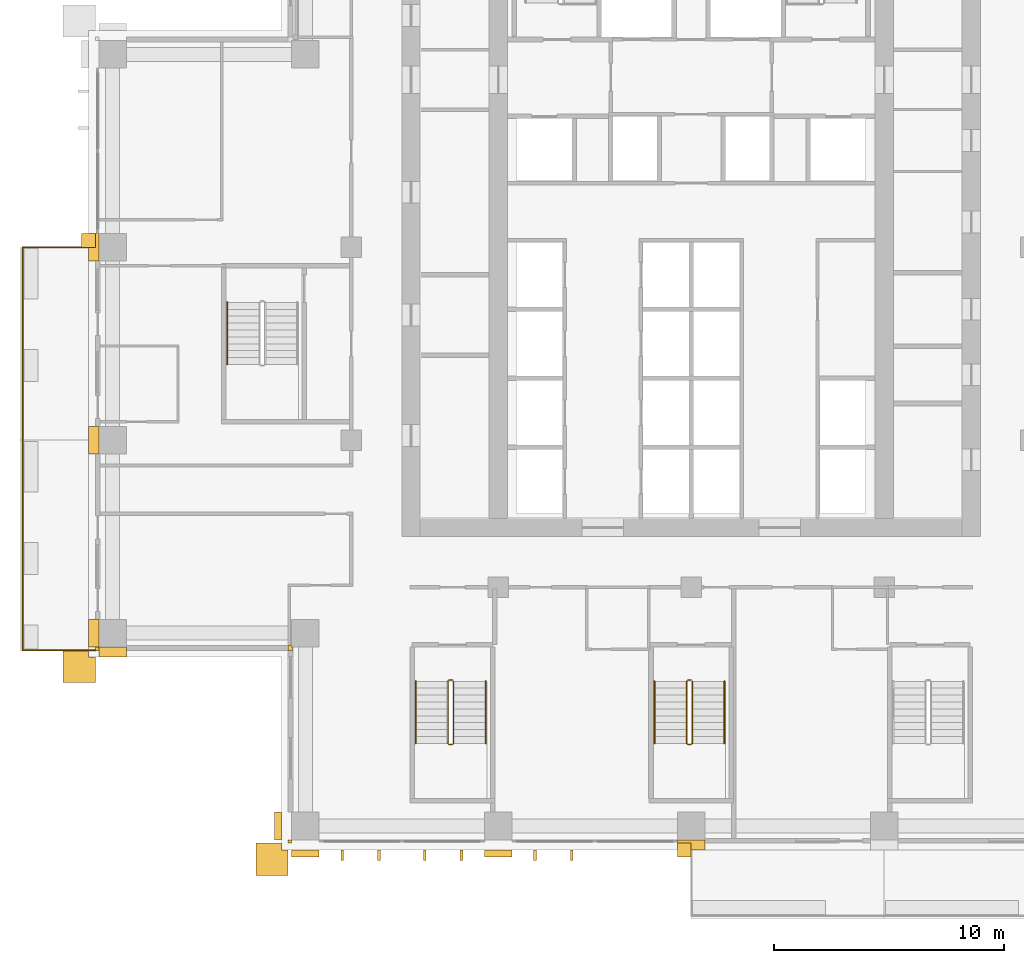
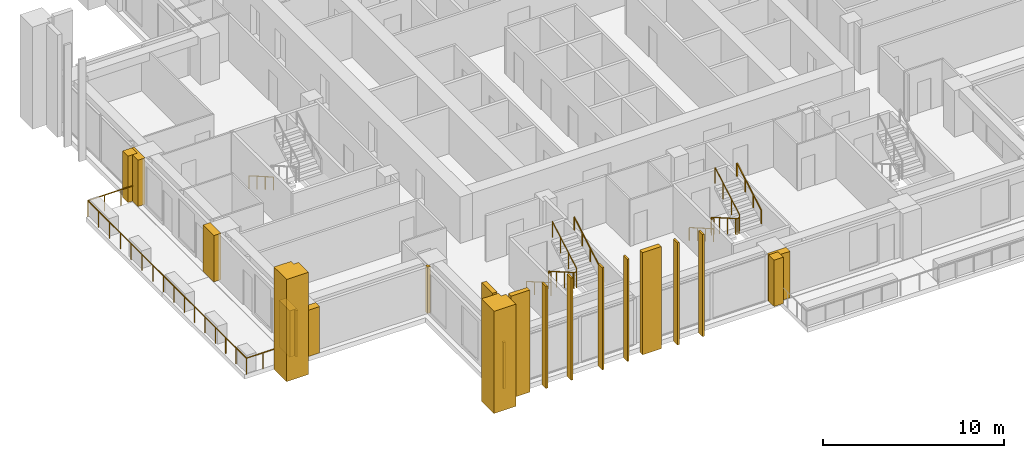
# One storey, part 15 of 19: 21 coverings, 9 railings.
"""IFC4 building model written with IfcOpenShell, lengths in metres."""

import ifcopenshell
import ifcopenshell.guid

model = None  # the IFC model being written
_history = None  # IfcOwnerHistory: only IFC2X3 demands one
_inside = {}  # id of a spatial element -> (the spatial element, [elements in it])
_under = {}  # id of a project, library or spatial element -> (it, [spatial elements below it])
_declared = {}  # id of a project -> (the project, [libraries it declares])
_typed = {}  # id of a type object -> (the type object, [elements of that type])
_made_of = {}  # id of a material, layer set ... -> (it, [elements and type objects made of it])


def new_model(schema):
    """Start an empty IFC model of exactly this schema.

    Asked for "IFC4X3", IfcOpenShell would pick the latest addendum, in which some entities
    have other attributes; the version numbers below select the first issue.
    IFC2X3 requires an IfcOwnerHistory on every rooted entity: one is made here for all.
    """
    global model, _history
    if schema == "IFC4X3":
        model = ifcopenshell.file(schema_version=(4, 3, 0, 0))
    else:
        model = ifcopenshell.file(schema=schema)
    _inside.clear()
    _under.clear()
    _declared.clear()
    _typed.clear()
    _made_of.clear()
    _history = None
    if model.schema == "IFC2X3":
        org = make("IfcOrganization", Name="unknown")
        user = make(
            "IfcPersonAndOrganization",
            ThePerson=make("IfcPerson", FamilyName="unknown"),
            TheOrganization=org,
        )
        app = make(
            "IfcApplication",
            ApplicationDeveloper=org,
            Version="unknown",
            ApplicationFullName="unknown",
            ApplicationIdentifier="unknown",
        )
        _history = make(
            "IfcOwnerHistory",
            OwningUser=user,
            OwningApplication=app,
            ChangeAction="ADDED",
            CreationDate=0,
        )
    return model


def make(cls, **values):
    """One entity of the class cls with the attributes given. An attribute that is None is left unset."""
    return model.create_entity(
        cls, **{name: value for name, value in values.items() if value is not None}
    )


def rooted(cls, **values):
    """An entity with a GlobalId (a new one), such as an element, a storey or a relation."""
    return make(cls, GlobalId=ifcopenshell.guid.new(), OwnerHistory=_history, **values)


def si_unit(unit_type, name, prefix=None):
    """IfcSIUnit, for example si_unit("LENGTHUNIT", "METRE", prefix="MILLI")."""
    return make("IfcSIUnit", UnitType=unit_type, Prefix=prefix, Name=name)


def assignment(units):
    """IfcUnitAssignment: the units of a project."""
    return None if units is None else make("IfcUnitAssignment", Units=units)


def point(xyz):
    """IfcCartesianPoint."""
    return None if xyz is None else make("IfcCartesianPoint", Coordinates=xyz)


def direction(xyz):
    """IfcDirection."""
    return None if xyz is None else make("IfcDirection", DirectionRatios=xyz)


def frame(location, z_axis=None, x_axis=None):
    """IfcAxis2Placement3D, a coordinate frame: its origin and axes. An axis left out is left unset."""
    return make(
        "IfcAxis2Placement3D",
        Location=point(location),
        Axis=direction(z_axis),
        RefDirection=direction(x_axis),
    )


def frame_2d(location, x_axis=None):
    """IfcAxis2Placement2D, a coordinate frame in the plane: its origin and x axis."""
    return make(
        "IfcAxis2Placement2D", Location=point(location), RefDirection=direction(x_axis)
    )


def origin():
    """The frame at (0, 0, 0) with its axes left unset."""
    return frame((0.0, 0.0, 0.0))


def origin_2d():
    """The frame at (0, 0) in the plane with its x axis left unset."""
    return frame_2d((0.0, 0.0))


def place(relative_to, where):
    """IfcLocalPlacement: puts the frame where relative to a parent placement (None: the world)."""
    return make(
        "IfcLocalPlacement", PlacementRelTo=relative_to, RelativePlacement=where
    )


def context(
    kind, dimensions, precision=None, world=None, true_north=None, identifier=None
):
    """IfcGeometricRepresentationContext, for example the 3D "Model" context."""
    return make(
        "IfcGeometricRepresentationContext",
        ContextIdentifier=identifier,
        ContextType=kind,
        CoordinateSpaceDimension=dimensions,
        Precision=precision,
        WorldCoordinateSystem=world,
        TrueNorth=true_north,
    )


def subcontext(parent, identifier, kind, view, scale=None):
    """IfcGeometricRepresentationSubContext, for example "Body" below "Model"."""
    return make(
        "IfcGeometricRepresentationSubContext",
        ContextIdentifier=identifier,
        ContextType=kind,
        ParentContext=parent,
        TargetScale=scale,
        TargetView=view,
    )


def project(units=None, contexts=None):
    """IfcProject with its units and contexts."""
    return rooted(
        "IfcProject",
        Name="project",
        RepresentationContexts=contexts,
        UnitsInContext=assignment(units),
    )


def spatial(cls, under=None, at=None, **own):
    """A site, building, storey or space (cls), placed at a placement, below another one or the project."""
    s = rooted(cls, ObjectPlacement=at, **own)
    if under is not None:
        _under.setdefault(under.id(), (under, []))[1].append(s)
    return s


def polyline(points):
    """IfcPolyline through the points."""
    return make("IfcPolyline", Points=[point(p) for p in points])


def profile(cls, at=None, kind="AREA", **sizes):
    """A parametric profile (cls). Its sizes go by their IFC names, for example OverallWidth=200.0."""
    return make(cls, ProfileType=kind, Position=at, **sizes)


def rectangle(**sizes):
    """IfcRectangleProfileDef."""
    return profile("IfcRectangleProfileDef", **sizes)


def outline(outer, holes=None, kind="AREA"):
    """IfcArbitraryClosedProfileDef: a profile drawn as a closed curve; with holes, ...WithVoids."""
    if holes is None:
        return make("IfcArbitraryClosedProfileDef", ProfileType=kind, OuterCurve=outer)
    return make(
        "IfcArbitraryProfileDefWithVoids",
        ProfileType=kind,
        OuterCurve=outer,
        InnerCurves=holes,
    )


def extrude(swept, where, along, depth):
    """IfcExtrudedAreaSolid: the profile swept, set in the frame where, extruded along a direction by depth."""
    return make(
        "IfcExtrudedAreaSolid",
        SweptArea=swept,
        Position=where,
        ExtrudedDirection=direction(along),
        Depth=depth,
    )


def shape(context_of_items, identifier, shape_type, items):
    """IfcShapeRepresentation: the items that make up one representation, for example the "Body"."""
    return make(
        "IfcShapeRepresentation",
        ContextOfItems=context_of_items,
        RepresentationIdentifier=identifier,
        RepresentationType=shape_type,
        Items=items,
    )


def material(Name=None, Category=None):
    """IfcMaterial."""
    return make("IfcMaterial", Name=Name, Category=Category)


def layer(
    of_material, thickness, ventilated=None, Name=None, Category=None, Priority=None
):
    """IfcMaterialLayer: one layer of a wall or slab, of a material (None: an air gap)."""
    return make(
        "IfcMaterialLayer",
        Material=of_material,
        LayerThickness=thickness,
        IsVentilated=ventilated,
        Name=Name,
        Category=Category,
        Priority=Priority,
    )


def layer_set(layers, Name=None):
    """IfcMaterialLayerSet."""
    return make("IfcMaterialLayerSet", MaterialLayers=layers, LayerSetName=Name)


def made_of(thing, what):
    """Note that an element or type object is made of a material, layer set ...; save() writes the relation."""
    if what is not None:
        _made_of.setdefault(what.id(), (what, []))[1].append(thing)
    return thing


def type_object(cls, material=None, **own):
    """A type object (cls), such as IfcWallType, which elements share."""
    return made_of(rooted(cls, **own), material)


def element(
    cls,
    number,
    at=None,
    inside=None,
    cuts=None,
    type_object=None,
    material=None,
    context=None,
    identifier="Body",
    shape_type=None,
    held_by="IfcProductDefinitionShape",
    body=None,
    shapes=None,
    **own,
):
    """One element of the class cls, such as IfcWall. Its Tag is "e" and its number.

    at: its placement. inside: the storey or other place that contains it. cuts: it is an
    opening in that element (IfcRelVoidsElement). A single representation is given by context,
    identifier, shape_type and body (its items); several are given by shapes. held_by: the class
    of the entity that holds the representations. save() writes the other relations.
    """
    e = rooted(cls, Tag="e%d" % number, ObjectPlacement=at, **own)
    if body is not None:
        shapes = [shape(context, identifier, shape_type, body)]
    if shapes is not None:
        e.Representation = make(held_by, Representations=shapes)
    if inside is not None:
        _inside.setdefault(inside.id(), (inside, []))[1].append(e)
    if cuts is not None:
        rooted(
            "IfcRelVoidsElement", RelatingBuildingElement=cuts, RelatedOpeningElement=e
        )
    if type_object is not None:
        _typed.setdefault(type_object.id(), (type_object, []))[1].append(e)
    return made_of(e, material)


def aggregate(whole, parts):
    """IfcRelAggregates: a whole, such as a stair, and the parts it consists of."""
    return rooted("IfcRelAggregates", RelatingObject=whole, RelatedObjects=parts)


def save(model, path):
    """Write the relations noted so far, then the file.

    IfcRelAggregates (storeys below a building ...), IfcRelContainedInSpatialStructure (elements
    in a storey), IfcRelDefinesByType, IfcRelAssociatesMaterial and IfcRelDeclares: one each for
    every whole, place, type object, material and project.
    """
    for whole, parts in _under.values():
        aggregate(whole, parts)
    for where, things in _inside.values():
        rooted(
            "IfcRelContainedInSpatialStructure",
            RelatedElements=things,
            RelatingStructure=where,
        )
    for kind, things in _typed.values():
        rooted("IfcRelDefinesByType", RelatedObjects=things, RelatingType=kind)
    for what, things in _made_of.values():
        rooted("IfcRelAssociatesMaterial", RelatedObjects=things, RelatingMaterial=what)
    for by, libraries in _declared.values():
        rooted("IfcRelDeclares", RelatingContext=by, RelatedDefinitions=libraries)
    model.write(path)


model = new_model("IFC4")

# Units and contexts
model_context = context("Model", 3, precision=1e-05, world=origin(), true_north=direction((0.0, 1.0)))
body_context = subcontext(model_context, "Body", "Model", "MODEL_VIEW")
ifc_project = project(units=[si_unit("LENGTHUNIT", "METRE"), si_unit("AREAUNIT", "SQUARE_METRE"), si_unit("VOLUMEUNIT", "CUBIC_METRE"), si_unit("PLANEANGLEUNIT", "RADIAN"), si_unit("MASSUNIT", "GRAM", prefix="KILO")], contexts=[model_context])

# Site, building, storey
site_placement = place(None, origin())
site = spatial("IfcSite", under=ifc_project, at=site_placement, CompositionType="ELEMENT")
building_placement = place(site_placement, origin())
building = spatial("IfcBuilding", under=site, at=building_placement, Name="Vermilion Ogive Tower", CompositionType="ELEMENT")
storey_placement = place(building_placement, frame((0.0, 0.0, 104.550048828125)))
storey = spatial("IfcBuildingStorey", under=building, at=storey_placement, Name="L26", CompositionType="ELEMENT", Elevation=104.550048828125)

# Railings
ifc_material_1 = material(Name="Stainless steel and glass", Category="steel")
railing_type_1 = type_object("IfcRailingType", Name="Balcony guard", PredefinedType="GUARDRAIL", material=ifc_material_1)
railing_1_placement = place(storey_placement, frame((-25.949951171875, 4.199951171875, -0.0400390625)))
element("IfcRailing", 1, at=railing_1_placement, inside=storey, type_object=railing_type_1, Name="Guard W02", PredefinedType="GUARDRAIL", context=body_context, shape_type="SweptSolid", body=[
    extrude(rectangle(XDim=0.048095703125, YDim=0.048095703125, at=origin_2d()), frame((0.0, 0.0, 1.076171875), z_axis=(-1.0, 0.0, 0.0), x_axis=(0.0, -1.0, 0.0)), (0.0, 0.0, 1.0), 3.16015625),
    extrude(rectangle(XDim=0.048095703125, YDim=0.048095703125, at=origin_2d()), frame((-3.16015625, 0.0, 1.076171875), z_axis=(0.0, -1.0, 0.0), x_axis=(1.0, 0.0, 0.0)), (0.0, 0.0, 1.0), 8.39990234375),
    extrude(rectangle(XDim=0.0419921875, YDim=0.0419921875, at=origin_2d()), origin(), (0.0, 0.0, 1.0), 1.052001953125),
    extrude(rectangle(XDim=0.0419921875, YDim=0.0419921875, at=origin_2d()), frame((-1.053466796875, 0.0, 0.0)), (0.0, 0.0, 1.0), 1.052001953125),
    extrude(rectangle(XDim=0.0419921875, YDim=0.0419921875, at=origin_2d()), frame((-2.106689453125, 0.0, 0.0)), (0.0, 0.0, 1.0), 1.052001953125),
    extrude(rectangle(XDim=0.0419921875, YDim=0.0419921875, at=origin_2d()), frame((-3.16015625, 0.0, 0.0)), (0.0, 0.0, 1.0), 1.052001953125),
    extrude(rectangle(XDim=0.0419921875, YDim=0.0419921875, at=origin_2d()), frame((-3.16015625, -1.199951171875, 0.0)), (0.0, 0.0, 1.0), 1.052001953125),
    extrude(rectangle(XDim=0.0419921875, YDim=0.0419921875, at=origin_2d()), frame((-3.16015625, -2.39990234375, 0.0)), (0.0, 0.0, 1.0), 1.052001953125),
    extrude(rectangle(XDim=0.0419921875, YDim=0.0419921875, at=origin_2d()), frame((-3.16015625, -3.599853515625, 0.0)), (0.0, 0.0, 1.0), 1.052001953125),
    extrude(rectangle(XDim=0.0419921875, YDim=0.0419921875, at=origin_2d()), frame((-3.16015625, -4.800048828125, 0.0)), (0.0, 0.0, 1.0), 1.052001953125),
    extrude(rectangle(XDim=0.0419921875, YDim=0.0419921875, at=origin_2d()), frame((-3.16015625, -6.0, 0.0)), (0.0, 0.0, 1.0), 1.052001953125),
    extrude(rectangle(XDim=0.0419921875, YDim=0.0419921875, at=origin_2d()), frame((-3.16015625, -7.199951171875, 0.0)), (0.0, 0.0, 1.0), 1.052001953125),
    extrude(rectangle(XDim=0.0419921875, YDim=0.0419921875, at=origin_2d()), frame((-3.16015625, -8.39990234375, 0.0)), (0.0, 0.0, 1.0), 1.052001953125),
])
railing_2_placement = place(storey_placement, frame((-29.110107421875, -4.199951171875, -0.0400390625)))
element("IfcRailing", 2, at=railing_2_placement, inside=storey, type_object=railing_type_1, Name="Guard W03", PredefinedType="GUARDRAIL", context=body_context, shape_type="SweptSolid", body=[
    extrude(rectangle(XDim=0.048095703125, YDim=0.048095703125, at=origin_2d()), frame((0.0, 0.0, 1.076171875), z_axis=(0.0, -1.0, 0.0), x_axis=(1.0, 0.0, 0.0)), (0.0, 0.0, 1.0), 9.150146484375),
    extrude(rectangle(XDim=0.048095703125, YDim=0.048095703125, at=origin_2d()), frame((0.0, -9.150146484375, 1.076171875), z_axis=(1.0, 0.0, 0.0), x_axis=(0.0, 1.0, 0.0)), (0.0, 0.0, 1.0), 3.16015625),
    extrude(rectangle(XDim=0.0419921875, YDim=0.0419921875, at=origin_2d()), origin(), (0.0, 0.0, 1.0), 1.052001953125),
    extrude(rectangle(XDim=0.0419921875, YDim=0.0419921875, at=origin_2d()), frame((0.0, -1.143798828125, 0.0)), (0.0, 0.0, 1.0), 1.052001953125),
    extrude(rectangle(XDim=0.0419921875, YDim=0.0419921875, at=origin_2d()), frame((0.0, -2.28759765625, 0.0)), (0.0, 0.0, 1.0), 1.052001953125),
    extrude(rectangle(XDim=0.0419921875, YDim=0.0419921875, at=origin_2d()), frame((0.0, -3.431396484375, 0.0)), (0.0, 0.0, 1.0), 1.052001953125),
    extrude(rectangle(XDim=0.0419921875, YDim=0.0419921875, at=origin_2d()), frame((0.0, -4.5751953125, 0.0)), (0.0, 0.0, 1.0), 1.052001953125),
    extrude(rectangle(XDim=0.0419921875, YDim=0.0419921875, at=origin_2d()), frame((0.0, -5.71875, 0.0)), (0.0, 0.0, 1.0), 1.052001953125),
    extrude(rectangle(XDim=0.0419921875, YDim=0.0419921875, at=origin_2d()), frame((0.0, -6.862548828125, 0.0)), (0.0, 0.0, 1.0), 1.052001953125),
    extrude(rectangle(XDim=0.0419921875, YDim=0.0419921875, at=origin_2d()), frame((0.0, -8.00634765625, 0.0)), (0.0, 0.0, 1.0), 1.052001953125),
    extrude(rectangle(XDim=0.0419921875, YDim=0.0419921875, at=origin_2d()), frame((0.0, -9.150146484375, 0.0)), (0.0, 0.0, 1.0), 1.052001953125),
    extrude(rectangle(XDim=0.0419921875, YDim=0.0419921875, at=origin_2d()), frame((1.053466796875, -9.150146484375, 0.0)), (0.0, 0.0, 1.0), 1.052001953125),
    extrude(rectangle(XDim=0.0419921875, YDim=0.0419921875, at=origin_2d()), frame((2.106689453125, -9.150146484375, 0.0)), (0.0, 0.0, 1.0), 1.052001953125),
    extrude(rectangle(XDim=0.0419921875, YDim=0.0419921875, at=origin_2d()), frame((3.16015625, -9.150146484375, 0.0)), (0.0, 0.0, 1.0), 1.052001953125),
])

# Coverings
ifc_material_2 = material(Name="Glazed ceramic screen")
ifc_layer = layer(ifc_material_2, 0.14990234375)
ifc_layer_set = layer_set([ifc_layer], Name="Ceramic solar screen fin")
covering_type_1 = type_object("IfcCoveringType", Name="Ceramic solar screen fin", PredefinedType="CLADDING", material=ifc_layer_set)
covering_1_placement = place(storey_placement, frame((0.0, 0.0, -0.320068359375)))
element("IfcCovering", 3, at=covering_1_placement, inside=storey, type_object=covering_type_1, Name="Solar screen blade S961", PredefinedType="CLADDING", context=body_context, shape_type="SweptSolid", body=[
    extrude(outline(polyline([(-15.260009765625, -22.5), (-15.139892578125, -22.5), (-15.139892578125, -22.050048828125), (-15.260009765625, -22.050048828125), (-15.260009765625, -22.5)])), origin(), (0.0, 0.0, 1.0), 6.89990234375),
])
covering_2_placement = place(storey_placement, frame((0.0, 0.0, -0.320068359375)))
element("IfcCovering", 4, at=covering_2_placement, inside=storey, type_object=covering_type_1, Name="Solar screen blade S962", PredefinedType="CLADDING", context=body_context, shape_type="SweptSolid", body=[
    extrude(outline(polyline([(-13.659912109375, -22.5), (-13.5400390625, -22.5), (-13.5400390625, -22.050048828125), (-13.659912109375, -22.050048828125), (-13.659912109375, -22.5)])), origin(), (0.0, 0.0, 1.0), 6.89990234375),
])
covering_3_placement = place(storey_placement, frame((0.0, 0.0, -0.320068359375)))
element("IfcCovering", 5, at=covering_3_placement, inside=storey, type_object=covering_type_1, Name="Solar screen blade S971", PredefinedType="CLADDING", context=body_context, shape_type="SweptSolid", body=[
    extrude(outline(polyline([(-11.659912109375, -22.5), (-11.5400390625, -22.5), (-11.5400390625, -22.050048828125), (-11.659912109375, -22.050048828125), (-11.659912109375, -22.5)])), origin(), (0.0, 0.0, 1.0), 6.89990234375),
])
covering_4_placement = place(storey_placement, frame((0.0, 0.0, -0.320068359375)))
element("IfcCovering", 6, at=covering_4_placement, inside=storey, type_object=covering_type_1, Name="Solar screen blade S972", PredefinedType="CLADDING", context=body_context, shape_type="SweptSolid", body=[
    extrude(outline(polyline([(-10.06005859375, -22.5), (-9.93994140625, -22.5), (-9.93994140625, -22.050048828125), (-10.06005859375, -22.050048828125), (-10.06005859375, -22.5)])), origin(), (0.0, 0.0, 1.0), 6.89990234375),
])
covering_5_placement = place(storey_placement, frame((0.0, 0.0, -0.320068359375)))
element("IfcCovering", 7, at=covering_5_placement, inside=storey, type_object=covering_type_1, Name="Solar screen blade S981", PredefinedType="CLADDING", context=body_context, shape_type="SweptSolid", body=[
    extrude(outline(polyline([(-6.860107421875, -22.5), (-6.739990234375, -22.5), (-6.739990234375, -22.050048828125), (-6.860107421875, -22.050048828125), (-6.860107421875, -22.5)])), origin(), (0.0, 0.0, 1.0), 6.89990234375),
])
covering_6_placement = place(storey_placement, frame((0.0, 0.0, -0.320068359375)))
element("IfcCovering", 8, at=covering_6_placement, inside=storey, type_object=covering_type_1, Name="Solar screen blade S982", PredefinedType="CLADDING", context=body_context, shape_type="SweptSolid", body=[
    extrude(outline(polyline([(-5.260009765625, -22.5), (-5.139892578125, -22.5), (-5.139892578125, -22.050048828125), (-5.260009765625, -22.050048828125), (-5.260009765625, -22.5)])), origin(), (0.0, 0.0, 1.0), 6.89990234375),
])

# Railings
ifc_material_3 = material(Name="Steel S355 painted", Category="steel")
railing_type_2 = type_object("IfcRailingType", Name="Stair guard 1100", PredefinedType="GUARDRAIL", material=ifc_material_3)
railing_3_placement = place(storey_placement, frame((-10.39990234375, -14.64990234375, 0.0)))
element("IfcRailing", 9, at=railing_3_placement, inside=storey, type_object=railing_type_2, Name="L26 ST3 stair guard 4", PredefinedType="GUARDRAIL", context=body_context, shape_type="SweptSolid", body=[
    extrude(rectangle(XDim=0.048095703125, YDim=0.048095703125, at=origin_2d()), frame((0.0, 0.0, 1.076171875), z_axis=(-1.0, 0.0, 0.0), x_axis=(0.0, -1.0, 0.0)), (0.0, 0.0, 1.0), 0.150146484375),
    extrude(rectangle(XDim=0.048095703125, YDim=0.048095703125, at=origin_2d()), frame((-0.150146484375, 0.0, 1.076171875), z_axis=(-0.268603158521, -0.268603158521, 0.925043072762), x_axis=(0.707106781187, -0.707106781187, 0.0)), (0.0, 0.0, 1.0), 0.186279296875),
    extrude(rectangle(XDim=0.048095703125, YDim=0.048095703125, at=origin_2d()), frame((-0.2001953125, -0.050048828125, 1.24853515625), z_axis=(0.0, -0.866903762492, 0.498475542607), x_axis=(1.0, 0.0, 0.0)), (0.0, 0.0, 1.0), 3.114501953125),
    extrude(rectangle(XDim=0.048095703125, YDim=0.048095703125, at=origin_2d()), frame((-0.2001953125, -2.75, 2.80078125), z_axis=(0.707106781187, -0.707106781187, 0.0), x_axis=(0.707106781187, 0.707106781187, 0.0)), (0.0, 0.0, 1.0), 0.07080078125),
    extrude(rectangle(XDim=0.048095703125, YDim=0.048095703125, at=origin_2d()), frame((-0.150146484375, -2.800048828125, 2.80078125), z_axis=(1.0, 0.0, 0.0), x_axis=(0.0, 1.0, 0.0)), (0.0, 0.0, 1.0), 0.150146484375),
    extrude(rectangle(XDim=0.048095703125, YDim=0.048095703125, at=origin_2d()), frame((0.0, -2.800048828125, 2.80078125), z_axis=(0.267062837333, 0.268371968888, 0.925556009775), x_axis=(-0.708833529934, 0.705375805398, 0.0)), (0.0, 0.0, 1.0), 0.1865234375),
    extrude(rectangle(XDim=0.048095703125, YDim=0.048095703125, at=origin_2d()), frame((0.0498046875, -2.75, 2.9736328125), z_axis=(0.0, 0.866903762492, 0.498475542607), x_axis=(-1.0, 0.0, 0.0)), (0.0, 0.0, 1.0), 3.114501953125),
    extrude(rectangle(XDim=0.0419921875, YDim=0.0419921875, at=origin_2d()), origin(), (0.0, 0.0, 1.0), 1.052001953125),
    extrude(rectangle(XDim=0.0419921875, YDim=0.0419921875, at=origin_2d()), frame((-0.150146484375, 0.0, 0.0)), (0.0, 0.0, 1.0), 1.052001953125),
    extrude(rectangle(XDim=0.0419921875, YDim=0.0419921875, at=origin_2d()), frame((-0.2001953125, -0.050048828125, 0.17236328125)), (0.0, 0.0, 1.0), 1.052001953125),
    extrude(rectangle(XDim=0.0419921875, YDim=0.0419921875, at=origin_2d()), frame((-0.2001953125, -0.949951171875, 0.68994140625)), (0.0, 0.0, 1.0), 1.052001953125),
    extrude(rectangle(XDim=0.0419921875, YDim=0.0419921875, at=origin_2d()), frame((-0.2001953125, -1.85009765625, 1.207275390625)), (0.0, 0.0, 1.0), 1.052001953125),
    extrude(rectangle(XDim=0.0419921875, YDim=0.0419921875, at=origin_2d()), frame((-0.2001953125, -2.75, 1.724853515625)), (0.0, 0.0, 1.0), 1.052001953125),
    extrude(rectangle(XDim=0.0419921875, YDim=0.0419921875, at=origin_2d()), frame((-0.150146484375, -2.800048828125, 1.724853515625)), (0.0, 0.0, 1.0), 1.052001953125),
    extrude(rectangle(XDim=0.0419921875, YDim=0.0419921875, at=origin_2d()), frame((0.0, -2.800048828125, 1.724853515625)), (0.0, 0.0, 1.0), 1.052001953125),
    extrude(rectangle(XDim=0.0419921875, YDim=0.0419921875, at=origin_2d()), frame((0.0498046875, -2.75, 1.8974609375)), (0.0, 0.0, 1.0), 1.052001953125),
    extrude(rectangle(XDim=0.0419921875, YDim=0.0419921875, at=origin_2d()), frame((0.0498046875, -1.85009765625, 2.4150390625)), (0.0, 0.0, 1.0), 1.052001953125),
    extrude(rectangle(XDim=0.0419921875, YDim=0.0419921875, at=origin_2d()), frame((0.0498046875, -0.949951171875, 2.932373046875)), (0.0, 0.0, 1.0), 1.052001953125),
    extrude(rectangle(XDim=0.0419921875, YDim=0.0419921875, at=origin_2d()), frame((0.0498046875, -0.050048828125, 3.449951171875)), (0.0, 0.0, 1.0), 1.052001953125),
])
railing_4_placement = place(storey_placement, frame((0.0, -14.64990234375, 0.0)))
element("IfcRailing", 10, at=railing_4_placement, inside=storey, type_object=railing_type_2, Name="L26 ST4 stair guard 4", PredefinedType="GUARDRAIL", context=body_context, shape_type="SweptSolid", body=[
    extrude(rectangle(XDim=0.048095703125, YDim=0.048095703125, at=origin_2d()), frame((0.0, 0.0, 1.076171875), z_axis=(-1.0, 0.0, 0.0), x_axis=(0.0, -1.0, 0.0)), (0.0, 0.0, 1.0), 0.14990234375),
    extrude(rectangle(XDim=0.048095703125, YDim=0.048095703125, at=origin_2d()), frame((-0.14990234375, 0.0, 1.076171875), z_axis=(-0.268603158521, -0.268603158521, 0.925043072762), x_axis=(0.707106781187, -0.707106781187, 0.0)), (0.0, 0.0, 1.0), 0.186279296875),
    extrude(rectangle(XDim=0.048095703125, YDim=0.048095703125, at=origin_2d()), frame((-0.199951171875, -0.050048828125, 1.24853515625), z_axis=(0.0, -0.866903762492, 0.498475542607), x_axis=(1.0, 0.0, 0.0)), (0.0, 0.0, 1.0), 3.114501953125),
    extrude(rectangle(XDim=0.048095703125, YDim=0.048095703125, at=origin_2d()), frame((-0.199951171875, -2.75, 2.80078125), z_axis=(0.707106781187, -0.707106781187, 0.0), x_axis=(0.707106781187, 0.707106781187, 0.0)), (0.0, 0.0, 1.0), 0.07080078125),
    extrude(rectangle(XDim=0.048095703125, YDim=0.048095703125, at=origin_2d()), frame((-0.14990234375, -2.800048828125, 2.80078125), z_axis=(1.0, 0.0, 0.0), x_axis=(0.0, 1.0, 0.0)), (0.0, 0.0, 1.0), 0.14990234375),
    extrude(rectangle(XDim=0.048095703125, YDim=0.048095703125, at=origin_2d()), frame((0.0, -2.800048828125, 2.80078125), z_axis=(0.268277960024, 0.268277960024, 0.925231793839), x_axis=(-0.707106781187, 0.707106781187, 0.0)), (0.0, 0.0, 1.0), 0.1865234375),
    extrude(rectangle(XDim=0.048095703125, YDim=0.048095703125, at=origin_2d()), frame((0.050048828125, -2.75, 2.9736328125), z_axis=(0.0, 0.866903762492, 0.498475542607), x_axis=(-1.0, 0.0, 0.0)), (0.0, 0.0, 1.0), 3.114501953125),
    extrude(rectangle(XDim=0.0419921875, YDim=0.0419921875, at=origin_2d()), origin(), (0.0, 0.0, 1.0), 1.052001953125),
    extrude(rectangle(XDim=0.0419921875, YDim=0.0419921875, at=origin_2d()), frame((-0.14990234375, 0.0, 0.0)), (0.0, 0.0, 1.0), 1.052001953125),
    extrude(rectangle(XDim=0.0419921875, YDim=0.0419921875, at=origin_2d()), frame((-0.199951171875, -0.050048828125, 0.17236328125)), (0.0, 0.0, 1.0), 1.052001953125),
    extrude(rectangle(XDim=0.0419921875, YDim=0.0419921875, at=origin_2d()), frame((-0.199951171875, -0.949951171875, 0.68994140625)), (0.0, 0.0, 1.0), 1.052001953125),
    extrude(rectangle(XDim=0.0419921875, YDim=0.0419921875, at=origin_2d()), frame((-0.199951171875, -1.85009765625, 1.207275390625)), (0.0, 0.0, 1.0), 1.052001953125),
    extrude(rectangle(XDim=0.0419921875, YDim=0.0419921875, at=origin_2d()), frame((-0.199951171875, -2.75, 1.724853515625)), (0.0, 0.0, 1.0), 1.052001953125),
    extrude(rectangle(XDim=0.0419921875, YDim=0.0419921875, at=origin_2d()), frame((-0.14990234375, -2.800048828125, 1.724853515625)), (0.0, 0.0, 1.0), 1.052001953125),
    extrude(rectangle(XDim=0.0419921875, YDim=0.0419921875, at=origin_2d()), frame((0.0, -2.800048828125, 1.724853515625)), (0.0, 0.0, 1.0), 1.052001953125),
    extrude(rectangle(XDim=0.0419921875, YDim=0.0419921875, at=origin_2d()), frame((0.050048828125, -2.75, 1.8974609375)), (0.0, 0.0, 1.0), 1.052001953125),
    extrude(rectangle(XDim=0.0419921875, YDim=0.0419921875, at=origin_2d()), frame((0.050048828125, -1.85009765625, 2.4150390625)), (0.0, 0.0, 1.0), 1.052001953125),
    extrude(rectangle(XDim=0.0419921875, YDim=0.0419921875, at=origin_2d()), frame((0.050048828125, -0.949951171875, 2.932373046875)), (0.0, 0.0, 1.0), 1.052001953125),
    extrude(rectangle(XDim=0.0419921875, YDim=0.0419921875, at=origin_2d()), frame((0.050048828125, -0.050048828125, 3.449951171875)), (0.0, 0.0, 1.0), 1.052001953125),
])
ifc_material_4 = material(Name="Stainless steel", Category="steel")
railing_type_3 = type_object("IfcRailingType", Name="Stair handrail 900", PredefinedType="HANDRAIL", material=ifc_material_4)
railing_5_placement = place(storey_placement, frame((-12.0, -14.699951171875, 0.17236328125)))
element("IfcRailing", 11, at=railing_5_placement, inside=storey, type_object=railing_type_3, Name="L26 ST3 stair handrail 1", PredefinedType="HANDRAIL", context=body_context, shape_type="SweptSolid", body=[
    extrude(rectangle(XDim=0.048095703125, YDim=0.048095703125, at=origin_2d()), frame((0.0, 0.0, 0.8759765625), z_axis=(0.0, -0.866903762492, 0.498475542607), x_axis=(1.0, 0.0, 0.0)), (0.0, 0.0, 1.0), 3.114501953125),
    extrude(rectangle(XDim=0.0419921875, YDim=0.0419921875, at=origin_2d()), origin(), (0.0, 0.0, 1.0), 0.851806640625),
    extrude(rectangle(XDim=0.0419921875, YDim=0.0419921875, at=origin_2d()), frame((0.0, -0.89990234375, 0.517578125)), (0.0, 0.0, 1.0), 0.851806640625),
    extrude(rectangle(XDim=0.0419921875, YDim=0.0419921875, at=origin_2d()), frame((0.0, -1.800048828125, 1.034912109375)), (0.0, 0.0, 1.0), 0.851806640625),
    extrude(rectangle(XDim=0.0419921875, YDim=0.0419921875, at=origin_2d()), frame((0.0, -2.699951171875, 1.552490234375)), (0.0, 0.0, 1.0), 0.851806640625),
])
railing_6_placement = place(storey_placement, frame((-8.949951171875, -17.39990234375, 1.8974609375)))
element("IfcRailing", 12, at=railing_6_placement, inside=storey, type_object=railing_type_3, Name="L26 ST3 stair handrail 2", PredefinedType="HANDRAIL", context=body_context, shape_type="SweptSolid", body=[
    extrude(rectangle(XDim=0.048095703125, YDim=0.048095703125, at=origin_2d()), frame((0.0, 0.0, 0.8759765625), z_axis=(0.0, 0.866903762492, 0.498475542607), x_axis=(-1.0, 0.0, 0.0)), (0.0, 0.0, 1.0), 3.114501953125),
    extrude(rectangle(XDim=0.0419921875, YDim=0.0419921875, at=origin_2d()), origin(), (0.0, 0.0, 1.0), 0.851806640625),
    extrude(rectangle(XDim=0.0419921875, YDim=0.0419921875, at=origin_2d()), frame((0.0, 0.89990234375, 0.517578125)), (0.0, 0.0, 1.0), 0.851806640625),
    extrude(rectangle(XDim=0.0419921875, YDim=0.0419921875, at=origin_2d()), frame((0.0, 1.800048828125, 1.034912109375)), (0.0, 0.0, 1.0), 0.851806640625),
    extrude(rectangle(XDim=0.0419921875, YDim=0.0419921875, at=origin_2d()), frame((0.0, 2.699951171875, 1.552490234375)), (0.0, 0.0, 1.0), 0.851806640625),
])
railing_7_placement = place(storey_placement, frame((-1.60009765625, -14.699951171875, 0.17236328125)))
element("IfcRailing", 13, at=railing_7_placement, inside=storey, type_object=railing_type_3, Name="L26 ST4 stair handrail 1", PredefinedType="HANDRAIL", context=body_context, shape_type="SweptSolid", body=[
    extrude(rectangle(XDim=0.048095703125, YDim=0.048095703125, at=origin_2d()), frame((0.0, 0.0, 0.8759765625), z_axis=(0.0, -0.866903762492, 0.498475542607), x_axis=(1.0, 0.0, 0.0)), (0.0, 0.0, 1.0), 3.114501953125),
    extrude(rectangle(XDim=0.0419921875, YDim=0.0419921875, at=origin_2d()), origin(), (0.0, 0.0, 1.0), 0.851806640625),
    extrude(rectangle(XDim=0.0419921875, YDim=0.0419921875, at=origin_2d()), frame((0.0, -0.89990234375, 0.517578125)), (0.0, 0.0, 1.0), 0.851806640625),
    extrude(rectangle(XDim=0.0419921875, YDim=0.0419921875, at=origin_2d()), frame((0.0, -1.800048828125, 1.034912109375)), (0.0, 0.0, 1.0), 0.851806640625),
    extrude(rectangle(XDim=0.0419921875, YDim=0.0419921875, at=origin_2d()), frame((0.0, -2.699951171875, 1.552490234375)), (0.0, 0.0, 1.0), 0.851806640625),
])
railing_8_placement = place(storey_placement, frame((1.449951171875, -17.39990234375, 1.8974609375)))
element("IfcRailing", 14, at=railing_8_placement, inside=storey, type_object=railing_type_3, Name="L26 ST4 stair handrail 2", PredefinedType="HANDRAIL", context=body_context, shape_type="SweptSolid", body=[
    extrude(rectangle(XDim=0.048095703125, YDim=0.048095703125, at=origin_2d()), frame((0.0, 0.0, 0.8759765625), z_axis=(0.0, 0.866903762492, 0.498475542607), x_axis=(-1.0, 0.0, 0.0)), (0.0, 0.0, 1.0), 3.114501953125),
    extrude(rectangle(XDim=0.0419921875, YDim=0.0419921875, at=origin_2d()), origin(), (0.0, 0.0, 1.0), 0.851806640625),
    extrude(rectangle(XDim=0.0419921875, YDim=0.0419921875, at=origin_2d()), frame((0.0, 0.89990234375, 0.517578125)), (0.0, 0.0, 1.0), 0.851806640625),
    extrude(rectangle(XDim=0.0419921875, YDim=0.0419921875, at=origin_2d()), frame((0.0, 1.800048828125, 1.034912109375)), (0.0, 0.0, 1.0), 0.851806640625),
    extrude(rectangle(XDim=0.0419921875, YDim=0.0419921875, at=origin_2d()), frame((0.0, 2.699951171875, 1.552490234375)), (0.0, 0.0, 1.0), 0.851806640625),
])
railing_9_placement = place(storey_placement, frame((-20.199951171875, 1.800048828125, 0.17236328125)))
element("IfcRailing", 15, at=railing_9_placement, inside=storey, type_object=railing_type_3, Name="L26 ST9 stair handrail 1", PredefinedType="HANDRAIL", context=body_context, shape_type="SweptSolid", body=[
    extrude(rectangle(XDim=0.048095703125, YDim=0.048095703125, at=origin_2d()), frame((0.0, 0.0, 0.8759765625), z_axis=(0.0, -0.866903762492, 0.498475542607), x_axis=(1.0, 0.0, 0.0)), (0.0, 0.0, 1.0), 3.114501953125),
    extrude(rectangle(XDim=0.0419921875, YDim=0.0419921875, at=origin_2d()), origin(), (0.0, 0.0, 1.0), 0.851806640625),
    extrude(rectangle(XDim=0.0419921875, YDim=0.0419921875, at=origin_2d()), frame((0.0, -0.89990234375, 0.517578125)), (0.0, 0.0, 1.0), 0.851806640625),
    extrude(rectangle(XDim=0.0419921875, YDim=0.0419921875, at=origin_2d()), frame((0.0, -1.800048828125, 1.034912109375)), (0.0, 0.0, 1.0), 0.851806640625),
    extrude(rectangle(XDim=0.0419921875, YDim=0.0419921875, at=origin_2d()), frame((0.0, -2.699951171875, 1.552490234375)), (0.0, 0.0, 1.0), 0.851806640625),
])

# Coverings
ifc_material_5 = material(Name="Stone cladding", Category="masonry")
covering_type_2 = type_object("IfcCoveringType", Name="Stone corner buttress", PredefinedType="CLADDING", material=ifc_material_5)
covering_7_placement = place(storey_placement, origin())
element("IfcCovering", 16, at=covering_7_placement, inside=storey, type_object=covering_type_2, Name="Stone crease pier SK", PredefinedType="CLADDING", context=body_context, shape_type="SweptSolid", body=[
    extrude(outline(polyline([(-0.60009765625, -22.35009765625), (0.0, -22.35009765625), (0.0, -21.75), (-0.60009765625, -21.75), (-0.60009765625, -22.35009765625)])), origin(), (0.0, 0.0, 1.0), 3.1298828125),
])
covering_8_placement = place(storey_placement, origin())
element("IfcCovering", 17, at=covering_8_placement, inside=storey, type_object=covering_type_2, Name="Stone crease pier WK", PredefinedType="CLADDING", context=body_context, shape_type="SweptSolid", body=[
    extrude(outline(polyline([(-26.550048828125, 4.800048828125), (-26.550048828125, 4.199951171875), (-25.949951171875, 4.199951171875), (-25.949951171875, 4.800048828125), (-26.550048828125, 4.800048828125)])), origin(), (0.0, 0.0, 1.0), 3.1298828125),
])
covering_9_placement = place(storey_placement, frame((0.0, 0.0, -0.320068359375)))
element("IfcCovering", 18, at=covering_9_placement, inside=storey, type_object=covering_type_2, Name="Stone corner buttress S1", PredefinedType="CLADDING", context=body_context, shape_type="SweptSolid", body=[
    extrude(outline(polyline([(-17.85009765625, -21.75), (-17.85009765625, -22.050048828125), (-17.550048828125, -22.050048828125), (-17.550048828125, -23.14990234375), (-18.949951171875, -23.14990234375), (-18.949951171875, -21.75), (-17.85009765625, -21.75)])), origin(), (0.0, 0.0, 1.0), 6.89990234375),
])
covering_10_placement = place(storey_placement, frame((0.0, 0.0, -0.320068359375)))
element("IfcCovering", 19, at=covering_10_placement, inside=storey, type_object=covering_type_2, Name="Stone corner buttress X71", PredefinedType="CLADDING", context=body_context, shape_type="SweptSolid", body=[
    extrude(outline(polyline([(-27.35009765625, -13.35009765625), (-26.25, -13.35009765625), (-26.25, -13.64990234375), (-25.949951171875, -13.64990234375), (-25.949951171875, -14.75), (-27.35009765625, -14.75), (-27.35009765625, -13.35009765625)])), origin(), (0.0, 0.0, 1.0), 6.89990234375),
])
ifc_material_6 = material(Name="Stone cladding", Category="masonry")
covering_type_3 = type_object("IfcCoveringType", Name="Stone pier", PredefinedType="CLADDING", material=ifc_material_6)
covering_11_placement = place(storey_placement, origin())
element("IfcCovering", 20, at=covering_11_placement, inside=storey, type_object=covering_type_3, Name="Stone corner pier WE1", PredefinedType="CLADDING", context=body_context, shape_type="SweptSolid", body=[
    extrude(outline(polyline([(-25.949951171875, -13.199951171875), (-25.800048828125, -13.199951171875), (-25.800048828125, -13.35009765625), (-25.949951171875, -13.35009765625), (-25.949951171875, -13.199951171875)])), origin(), (0.0, 0.0, 1.0), 3.1298828125),
])
covering_12_placement = place(storey_placement, origin())
element("IfcCovering", 21, at=covering_12_placement, inside=storey, type_object=covering_type_3, Name="Stone corner pier X7E1", PredefinedType="CLADDING", context=body_context, shape_type="SweptSolid", body=[
    extrude(outline(polyline([(-17.39990234375, -13.14990234375), (-17.39990234375, -13.199951171875), (-17.35009765625, -13.199951171875), (-17.35009765625, -13.35009765625), (-17.550048828125, -13.35009765625), (-17.550048828125, -13.14990234375), (-17.39990234375, -13.14990234375)])), origin(), (0.0, 0.0, 1.0), 3.1298828125),
])
covering_13_placement = place(storey_placement, origin())
element("IfcCovering", 22, at=covering_13_placement, inside=storey, type_object=covering_type_3, Name="Stone corner pier X8E1", PredefinedType="CLADDING", context=body_context, shape_type="SweptSolid", body=[
    extrude(outline(polyline([(-17.550048828125, -21.60009765625), (-17.39990234375, -21.60009765625), (-17.39990234375, -21.60009765625), (-17.39990234375, -21.75), (-17.550048828125, -21.75), (-17.550048828125, -21.60009765625)])), origin(), (0.0, 0.0, 1.0), 3.1298828125),
])
covering_14_placement = place(storey_placement, frame((0.0, 0.0, -0.320068359375)))
element("IfcCovering", 23, at=covering_14_placement, inside=storey, type_object=covering_type_3, Name="Stone pier P-0084-210", PredefinedType="CLADDING", context=body_context, shape_type="SweptSolid", body=[
    extrude(outline(polyline([(-7.800048828125, -22.35009765625), (-9.0, -22.35009765625), (-9.0, -22.050048828125), (-7.800048828125, -22.050048828125), (-7.800048828125, -22.35009765625)])), origin(), (0.0, 0.0, 1.0), 6.89990234375),
])
covering_15_placement = place(storey_placement, frame((0.0, 0.0, -0.320068359375)))
element("IfcCovering", 24, at=covering_15_placement, inside=storey, type_object=covering_type_3, Name="Stone pier P-0168-210S", PredefinedType="CLADDING", context=body_context, shape_type="SweptSolid", body=[
    extrude(outline(polyline([(-16.199951171875, -22.35009765625), (-17.39990234375, -22.35009765625), (-17.39990234375, -22.050048828125), (-16.199951171875, -22.050048828125), (-16.199951171875, -22.35009765625)])), origin(), (0.0, 0.0, 1.0), 6.89990234375),
])
covering_16_placement = place(storey_placement, frame((0.0, 0.0, -0.320068359375)))
element("IfcCovering", 25, at=covering_16_placement, inside=storey, type_object=covering_type_3, Name="Stone pier P-0168-210X8", PredefinedType="CLADDING", context=body_context, shape_type="SweptSolid", body=[
    extrude(outline(polyline([(-18.14990234375, -20.39990234375), (-17.85009765625, -20.39990234375), (-17.85009765625, -21.60009765625), (-18.14990234375, -21.60009765625), (-18.14990234375, -20.39990234375)])), origin(), (0.0, 0.0, 1.0), 6.89990234375),
])
covering_17_placement = place(storey_placement, origin())
element("IfcCovering", 26, at=covering_17_placement, inside=storey, type_object=covering_type_3, Name="Stone pier P+0000-210", PredefinedType="CLADDING", context=body_context, shape_type="SweptSolid", body=[
    extrude(outline(polyline([(0.60009765625, -21.60009765625), (0.60009765625, -21.60009765625), (0.60009765625, -22.050048828125), (0.0, -22.050048828125), (0.0, -21.75), (-0.60009765625, -21.75), (-0.60009765625, -22.050048828125), (-0.60009765625, -22.050048828125), (-0.60009765625, -21.60009765625), (-0.60009765625, -21.60009765625), (0.60009765625, -21.60009765625)])), origin(), (0.0, 0.0, 1.0), 3.1298828125),
])
covering_18_placement = place(storey_placement, origin())
element("IfcCovering", 27, at=covering_18_placement, inside=storey, type_object=covering_type_3, Name="Stone pier P-0252+042", PredefinedType="CLADDING", context=body_context, shape_type="SweptSolid", body=[
    extrude(outline(polyline([(-25.800048828125, 3.60009765625), (-26.25, 3.60009765625), (-26.25, 4.199951171875), (-25.949951171875, 4.199951171875), (-25.949951171875, 4.800048828125), (-26.25, 4.800048828125), (-26.25, 4.800048828125), (-25.800048828125, 4.800048828125), (-25.800048828125, 4.800048828125), (-25.800048828125, 3.60009765625)])), origin(), (0.0, 0.0, 1.0), 3.1298828125),
])
covering_19_placement = place(storey_placement, origin())
element("IfcCovering", 28, at=covering_19_placement, inside=storey, type_object=covering_type_3, Name="Stone pier P-0252-042", PredefinedType="CLADDING", context=body_context, shape_type="SweptSolid", body=[
    extrude(outline(polyline([(-25.800048828125, -4.800048828125), (-25.800048828125, -4.800048828125), (-26.25, -4.800048828125), (-26.25, -3.60009765625), (-25.800048828125, -3.60009765625), (-25.800048828125, -3.60009765625), (-25.800048828125, -4.800048828125)])), origin(), (0.0, 0.0, 1.0), 3.1298828125),
])
covering_20_placement = place(storey_placement, origin())
element("IfcCovering", 29, at=covering_20_placement, inside=storey, type_object=covering_type_3, Name="Stone pier P-0252-126W", PredefinedType="CLADDING", context=body_context, shape_type="SweptSolid", body=[
    extrude(outline(polyline([(-25.800048828125, -13.199951171875), (-25.800048828125, -13.199951171875), (-26.25, -13.199951171875), (-26.25, -12.0), (-25.800048828125, -12.0), (-25.800048828125, -12.0), (-25.800048828125, -13.199951171875)])), origin(), (0.0, 0.0, 1.0), 3.1298828125),
])
covering_21_placement = place(storey_placement, origin())
element("IfcCovering", 30, at=covering_21_placement, inside=storey, type_object=covering_type_3, Name="Stone pier P-0252-126X7", PredefinedType="CLADDING", context=body_context, shape_type="SweptSolid", body=[
    extrude(outline(polyline([(-25.800048828125, -13.64990234375), (-25.800048828125, -13.199951171875), (-25.800048828125, -13.199951171875), (-24.60009765625, -13.199951171875), (-24.60009765625, -13.64990234375), (-25.800048828125, -13.64990234375)])), origin(), (0.0, 0.0, 1.0), 3.1298828125),
])

save(model, "model.ifc")
